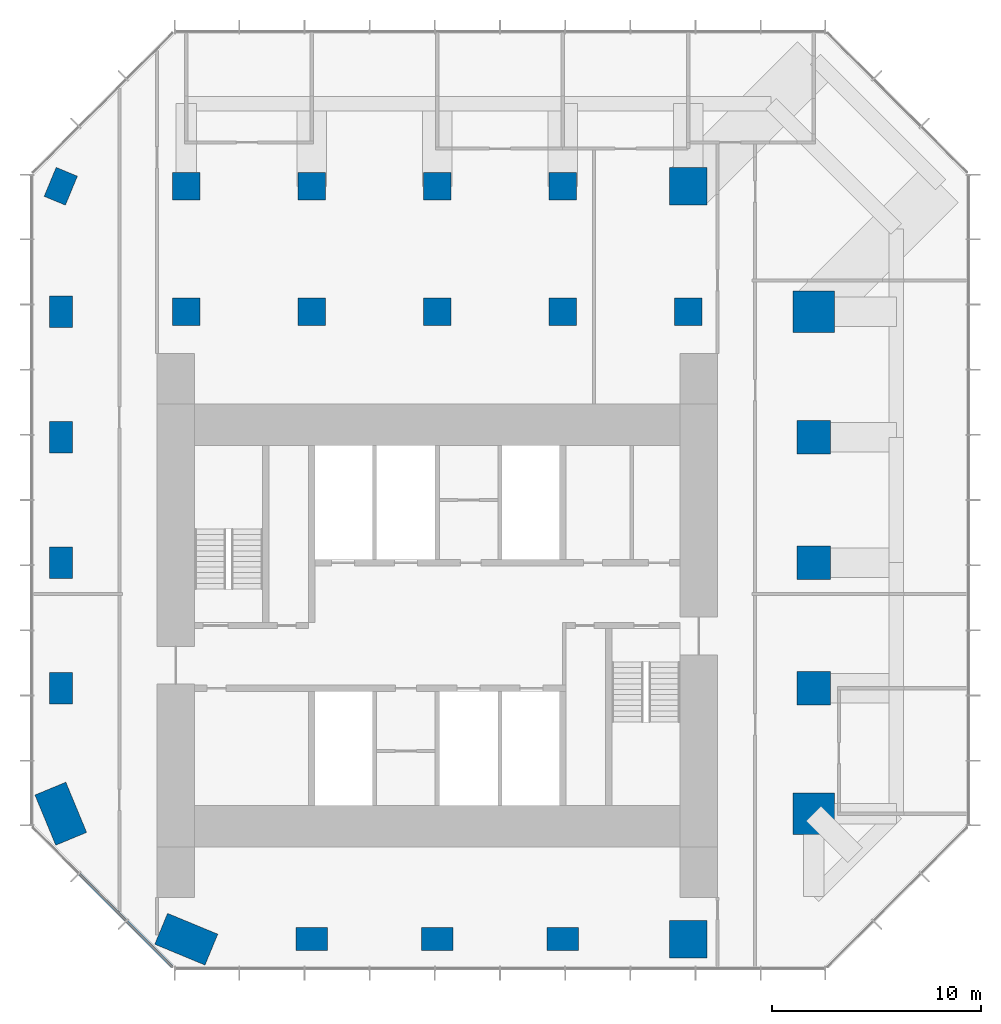
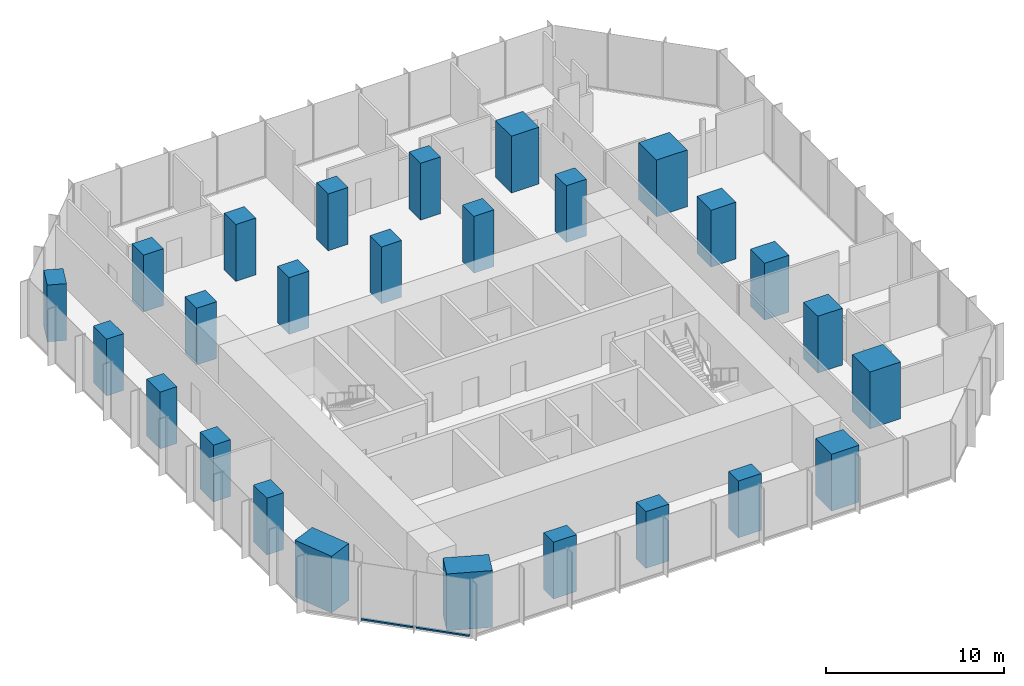
# One storey, part 1 of 11: 26 columns, 2 members, 1 element without a shape of its own.
"""IFC4 building model written with IfcOpenShell, lengths in metres."""

from ifc_helpers import new_model, si_unit, direction, frame, origin, origin_2d, place, context, subcontext, project, spatial, rectangle, extrude, material, layer, layer_set, material_profile, profile_set, type_object, element, aggregate, save


model = new_model("IFC4")

# Units and contexts
model_context = context("Model", 3, precision=1e-05, world=origin(), true_north=direction((0.0, 1.0)))
body_context = subcontext(model_context, "Body", "Model", "MODEL_VIEW")
ifc_project = project(units=[si_unit("LENGTHUNIT", "METRE"), si_unit("AREAUNIT", "SQUARE_METRE"), si_unit("VOLUMEUNIT", "CUBIC_METRE"), si_unit("PLANEANGLEUNIT", "RADIAN"), si_unit("MASSUNIT", "GRAM", prefix="KILO")], contexts=[model_context])

# Site, building, storey
site_placement = place(None, origin())
site = spatial("IfcSite", under=ifc_project, at=site_placement, CompositionType="ELEMENT")
building_placement = place(site_placement, origin())
building = spatial("IfcBuilding", under=site, at=building_placement, Name="Highveld Stack Headquarters", CompositionType="ELEMENT")
storey_placement = place(building_placement, frame((0.0, 0.0, 177.199951171875)))
storey = spatial("IfcBuildingStorey", under=building, at=storey_placement, Name="L43", CompositionType="ELEMENT", Elevation=177.199951171875)

# Columns
ifc_material_1 = material(Name="Concrete C60/75", Category="concrete")
ifc_material_profile_1 = material_profile(ifc_material_1, rectangle(XDim=1.300048828125, YDim=1.300048828125, at=origin_2d()), Name="RC 1300x1300")
ifc_profile_set_1 = profile_set([ifc_material_profile_1], Name="Concrete C60/75")
column_type_1 = type_object("IfcColumnType", Name="COLUMN RC 1300x1300 C60/75", PredefinedType="COLUMN", material=ifc_profile_set_1)
for number, where, z_axis, x_axis, name in (
    (1, (-6.0, 18.0, 0.0), (0.0, 0.0, 1.0), (1.0, 0.0, 0.0), "Column 5/H L43"),
    (2, (-6.0, 24.0, 0.0), (0.0, 0.0, 1.0), (1.0, 0.0, 0.0), "Column 5/J L43"),
    (3, (0.0, 18.0, 0.0), (0.0, 0.0, 1.0), (1.0, 0.0, 0.0), "Column 6/H L43"),
    (4, (0.0, 24.0, 0.0), (0.0, 0.0, 1.0), (1.0, 0.0, 0.0), "Column 6/J L43"),
    (5, (6.0, 18.0, 0.0), (0.0, 0.0, 1.0), (1.0, 0.0, 0.0), "Column 7/H L43"),
    (6, (6.0, 24.0, 0.0), (0.0, 0.0, 1.0), (1.0, 0.0, 0.0), "Column 7/J L43"),
    (7, (12.0, 18.0, 0.0), (0.0, 0.0, 1.0), (1.0, 0.0, 0.0), "Column 8/H L43"),
    (8, (12.0, 24.0, 0.0), (0.0, 0.0, 1.0), (1.0, 0.0, 0.0), "Column 8/J L43"),
    (9, (18.0, 18.0, 0.0), (0.0, 0.0, 1.0), (1.0, 0.0, 0.0), "Column 9/H L43"),
):
    element("IfcColumn", number, at=place(storey_placement, frame(where, z_axis=z_axis, x_axis=x_axis)), inside=storey, type_object=column_type_1, Name=name, PredefinedType="COLUMN", context=body_context, shape_type="SweptSolid", body=[
        extrude(rectangle(XDim=1.300048828125, YDim=1.300048828125, at=origin_2d()), origin(), (0.0, 0.0, 1.0), 3.900146484375),
    ])
ifc_material_2 = material(Name="Concrete C60/75", Category="concrete")
ifc_material_profile_2 = material_profile(ifc_material_2, rectangle(XDim=1.5, YDim=1.10009765625, at=origin_2d()), Name="RC 1500x1100")
ifc_profile_set_2 = profile_set([ifc_material_profile_2], Name="Concrete C60/75")
column_type_2 = type_object("IfcColumnType", Name="COLUMN RC 1500x1100 C60/75", PredefinedType="COLUMN", material=ifc_profile_set_2)
for number, where, z_axis, x_axis, name in (
    (10, (-12.0, 0.0, 0.0), (0.0, 0.0, 1.0), (0.0, 1.0, 0.0), "Column 4/E L43"),
    (11, (-12.0, 6.0, 0.0), (0.0, 0.0, 1.0), (0.0, 1.0, 0.0), "Column 4/F L43"),
    (12, (-12.0, 12.0, 0.0), (0.0, 0.0, 1.0), (0.0, 1.0, 0.0), "Column 4/G L43"),
    (13, (-12.0, 18.0, 0.0), (0.0, 0.0, 1.0), (0.0, 1.0, 0.0), "Column 4/H L43"),
    (14, (-12.0, 24.0, 0.0), (0.0, 0.0, 1.0), (0.382683432365, 0.923879532511, 0.0), "Column 4/J L43"),
    (15, (0.0, -12.0, 0.0), (0.0, 0.0, 1.0), (1.0, 0.0, 0.0), "Column 6/C L43"),
    (16, (6.0, -12.0, 0.0), (0.0, 0.0, 1.0), (1.0, 0.0, 0.0), "Column 7/C L43"),
    (17, (12.0, -12.0, 0.0), (0.0, 0.0, 1.0), (1.0, 0.0, 0.0), "Column 8/C L43"),
):
    element("IfcColumn", number, at=place(storey_placement, frame(where, z_axis=z_axis, x_axis=x_axis)), inside=storey, type_object=column_type_2, Name=name, PredefinedType="COLUMN", context=body_context, shape_type="SweptSolid", body=[
        extrude(rectangle(XDim=1.5, YDim=1.10009765625, at=origin_2d()), origin(), (0.0, 0.0, 1.0), 3.900146484375),
    ])
ifc_material_3 = material(Name="Concrete C60/75", Category="concrete")
ifc_material_profile_3 = material_profile(ifc_material_3, rectangle(XDim=1.60009765625, YDim=1.60009765625, at=origin_2d()), Name="RC 1600x1600")
ifc_profile_set_3 = profile_set([ifc_material_profile_3], Name="Concrete C60/75")
column_type_3 = type_object("IfcColumnType", Name="COLUMN RC 1600x1600 C60/75", PredefinedType="COLUMN", material=ifc_profile_set_3)
for number, where, z_axis, x_axis, name in (
    (18, (24.0, 0.0, 0.0), (0.0, 0.0, 1.0), (1.0, 0.0, 0.0), "Column 10/E L43"),
    (19, (24.0, 6.0, 0.0), (0.0, 0.0, 1.0), (1.0, 0.0, 0.0), "Column 10/F L43"),
    (20, (24.0, 12.0, 0.0), (0.0, 0.0, 1.0), (1.0, 0.0, 0.0), "Column 10/G L43"),
):
    element("IfcColumn", number, at=place(storey_placement, frame(where, z_axis=z_axis, x_axis=x_axis)), inside=storey, type_object=column_type_3, Name=name, PredefinedType="COLUMN", context=body_context, shape_type="SweptSolid", body=[
        extrude(rectangle(XDim=1.60009765625, YDim=1.60009765625, at=origin_2d()), origin(), (0.0, 0.0, 1.0), 3.900146484375),
    ])
ifc_material_4 = material(Name="Concrete C60/75", Category="concrete")
ifc_material_profile_4 = material_profile(ifc_material_4, rectangle(XDim=1.800048828125, YDim=1.800048828125, at=origin_2d()), Name="RC 1800x1800")
ifc_profile_set_4 = profile_set([ifc_material_profile_4], Name="Concrete C60/75")
column_type_4 = type_object("IfcColumnType", Name="COLUMN RC 1800x1800 C60/75", PredefinedType="COLUMN", material=ifc_profile_set_4)
for number, where, z_axis, x_axis, name in (
    (21, (18.0, -12.0, 0.0), (0.0, 0.0, 1.0), (1.0, 0.0, 0.0), "Column 9/C L43"),
    (22, (18.0, 24.0, 0.0), (0.0, 0.0, 1.0), (1.0, 0.0, 0.0), "Column 9/J L43"),
):
    element("IfcColumn", number, at=place(storey_placement, frame(where, z_axis=z_axis, x_axis=x_axis)), inside=storey, type_object=column_type_4, Name=name, PredefinedType="COLUMN", context=body_context, shape_type="SweptSolid", body=[
        extrude(rectangle(XDim=1.800048828125, YDim=1.800048828125, at=origin_2d()), origin(), (0.0, 0.0, 1.0), 3.900146484375),
    ])
ifc_material_5 = material(Name="Concrete C60/75", Category="concrete")
ifc_material_profile_5 = material_profile(ifc_material_5, rectangle(XDim=2.0, YDim=2.0, at=origin_2d()), Name="RC 2000x2000")
ifc_profile_set_5 = profile_set([ifc_material_profile_5], Name="Concrete C60/75")
column_type_5 = type_object("IfcColumnType", Name="COLUMN RC 2000x2000 C60/75", PredefinedType="COLUMN", material=ifc_profile_set_5)
for number, where, z_axis, x_axis, name in (
    (23, (24.0, -6.0, 0.0), (0.0, 0.0, 1.0), (1.0, 0.0, 0.0), "Column 10/D L43"),
    (24, (24.0, 18.0, 0.0), (0.0, 0.0, 1.0), (1.0, 0.0, 0.0), "Column 10/H L43"),
):
    element("IfcColumn", number, at=place(storey_placement, frame(where, z_axis=z_axis, x_axis=x_axis)), inside=storey, type_object=column_type_5, Name=name, PredefinedType="COLUMN", context=body_context, shape_type="SweptSolid", body=[
        extrude(rectangle(XDim=2.0, YDim=2.0, at=origin_2d()), origin(), (0.0, 0.0, 1.0), 3.900146484375),
    ])
ifc_material_6 = material(Name="Concrete C60/75", Category="concrete")
ifc_material_profile_6 = material_profile(ifc_material_6, rectangle(XDim=2.60009765625, YDim=1.60009765625, at=origin_2d()), Name="RC 2600x1600")
ifc_profile_set_6 = profile_set([ifc_material_profile_6], Name="Concrete C60/75")
column_type_6 = type_object("IfcColumnType", Name="COLUMN RC 2600x1600 C60/75", PredefinedType="COLUMN", material=ifc_profile_set_6)
for number, where, z_axis, x_axis, name in (
    (25, (-12.0, -6.0, 0.0), (0.0, 0.0, 1.0), (-0.382683432365, 0.923879532511, 0.0), "Column 4/D L43"),
    (26, (-6.0, -12.0, 0.0), (0.0, 0.0, 1.0), (-0.923879532511, 0.382683432365, 0.0), "Column 5/C L43"),
):
    element("IfcColumn", number, at=place(storey_placement, frame(where, z_axis=z_axis, x_axis=x_axis)), inside=storey, type_object=column_type_6, Name=name, PredefinedType="COLUMN", context=body_context, shape_type="SweptSolid", body=[
        extrude(rectangle(XDim=2.60009765625, YDim=1.60009765625, at=origin_2d()), origin(), (0.0, 0.0, 1.0), 3.900146484375),
    ])

# Curtain wall, members
ifc_material_7 = material(Name="Aluminium bronze anodised", Category="aluminium")
ifc_layer = layer(ifc_material_7, 0.199951171875)
ifc_layer_set = layer_set([ifc_layer], Name="Aluminium bronze anodised")
curtain_wall_type = type_object("IfcCurtainWallType", Name="CW2 TOWER CHAMFER UNITISED CURTAIN WALL", PredefinedType="NOTDEFINED", material=ifc_layer_set)
curtain_wall_placement = place(storey_placement, origin())
curtain_wall = element("IfcCurtainWall", 27, at=curtain_wall_placement, inside=storey, type_object=curtain_wall_type, Name="Curtain wall CW2 L43 SW", PredefinedType="NOTDEFINED")
ifc_material_8 = material(Name="Aluminium bronze anodised", Category="aluminium")
ifc_material_profile_7 = material_profile(ifc_material_8, rectangle(XDim=0.14990234375, YDim=0.10009765625, at=origin_2d()), Name="CW2 TRANSOM 150x100")
ifc_profile_set_7 = profile_set([ifc_material_profile_7], Name="Aluminium bronze anodised")
member_type = type_object("IfcMemberType", Name="CW2 STACK TRANSOM 150x100", PredefinedType="USERDEFINED", material=ifc_profile_set_7)
member_1_placement = place(storey_placement, frame((-11.103759765625, -8.876220703125, 0.050048828125), z_axis=(0.707106781187, -0.707106781187, 0.0), x_axis=(0.707106781187, 0.707106781187, 0.0)))
member_1 = element("IfcMember", 28, at=member_1_placement, type_object=member_type, Name="CW2 transom L43 2.1", ObjectType="TRANSOM", PredefinedType="USERDEFINED", context=body_context, shape_type="SweptSolid", body=[
    extrude(rectangle(XDim=0.14990234375, YDim=0.10009765625, at=origin_2d()), origin(), (0.0, 0.0, 1.0), 3.150146484375),
])
member_2_placement = place(storey_placement, frame((-8.830322265625, -11.149658203125, 0.050048828125), z_axis=(0.707106781187, -0.707106781187, 0.0), x_axis=(0.707106781187, 0.707106781187, 0.0)))
member_2 = element("IfcMember", 29, at=member_2_placement, type_object=member_type, Name="CW2 transom L43 3.1", ObjectType="TRANSOM", PredefinedType="USERDEFINED", context=body_context, shape_type="SweptSolid", body=[
    extrude(rectangle(XDim=0.14990234375, YDim=0.10009765625, at=origin_2d()), origin(), (0.0, 0.0, 1.0), 3.08251953125),
])
aggregate(curtain_wall, [member_1, member_2])

save(model, "model.ifc")
